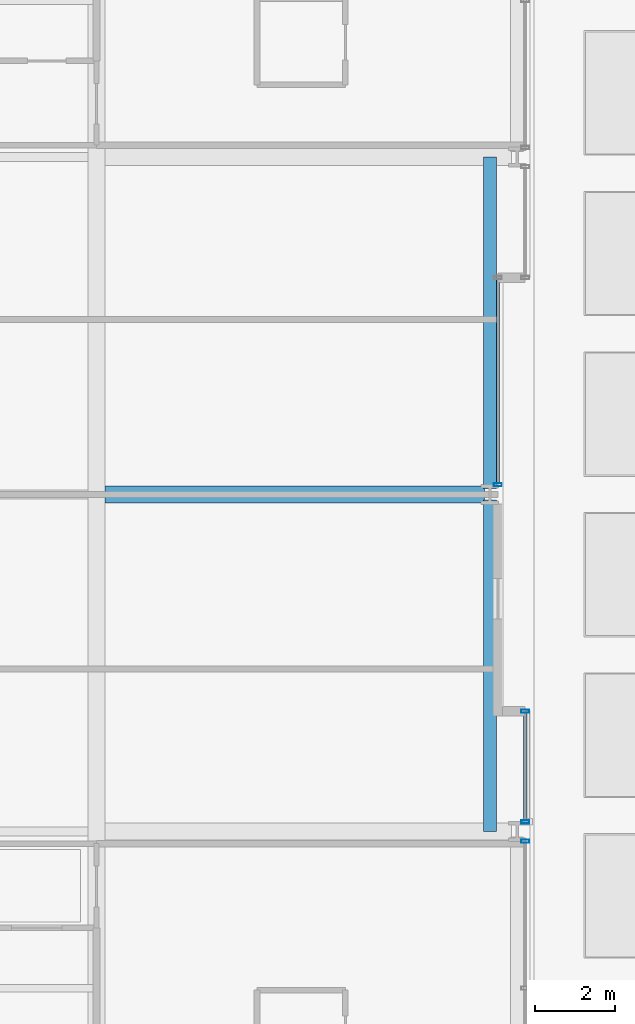
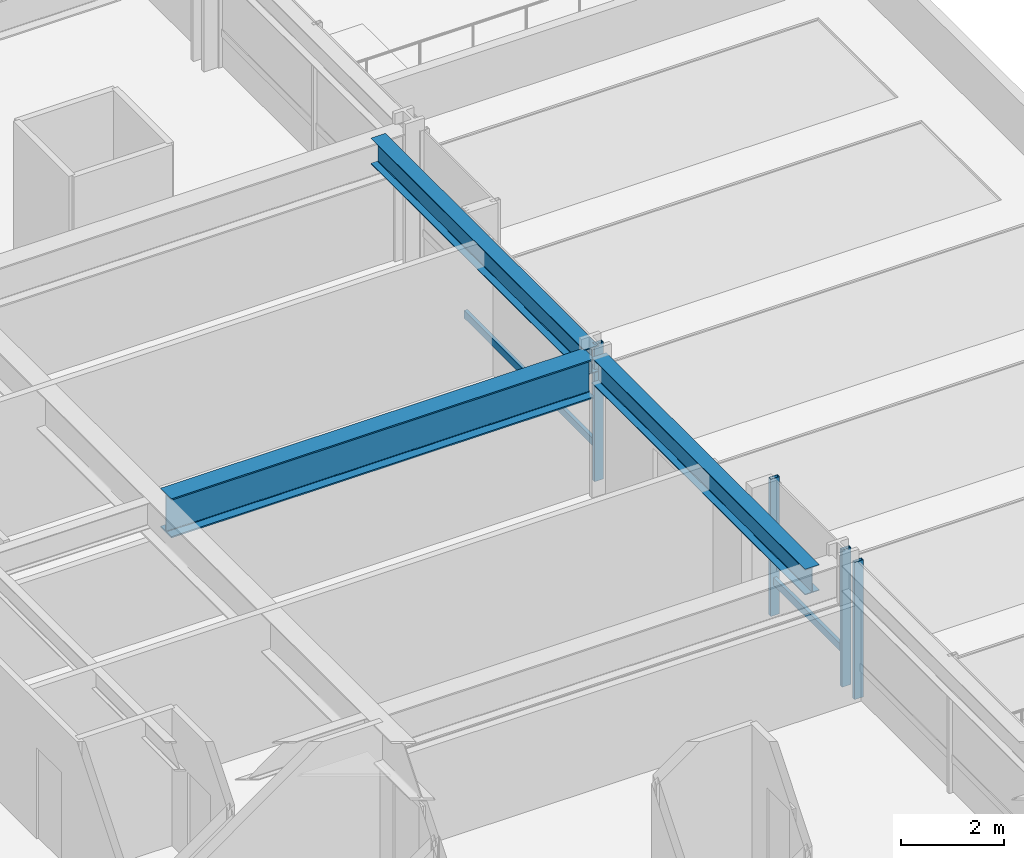
# One storey, part 16 of 42: 6 members, 3 beams, 3 elements without a shape of their own.
"""IFC4 building model written with IfcOpenShell, lengths in metres."""

from ifc_helpers import new_model, si_unit, direction, frame, origin, origin_2d, place, context, subcontext, project, spatial, hollow_rectangle, i_section, extrude, material, layer, layer_set, material_profile, profile_set, type_object, element, aggregate, save


model = new_model("IFC4")

# Units and contexts
model_context = context("Model", 3, precision=1e-05, world=origin(), true_north=direction((0.0, 1.0)))
body_context = subcontext(model_context, "Body", "Model", "MODEL_VIEW")
ifc_project = project(units=[si_unit("LENGTHUNIT", "METRE"), si_unit("AREAUNIT", "SQUARE_METRE"), si_unit("VOLUMEUNIT", "CUBIC_METRE"), si_unit("PLANEANGLEUNIT", "RADIAN"), si_unit("MASSUNIT", "GRAM", prefix="KILO")], contexts=[model_context])

# Site, building, storey
site_placement = place(None, origin())
site = spatial("IfcSite", under=ifc_project, at=site_placement, CompositionType="ELEMENT")
building_placement = place(site_placement, origin())
building = spatial("IfcBuilding", under=site, at=building_placement, Name="Drelvath Grand Hotel", CompositionType="ELEMENT")
storey_placement = place(building_placement, frame((0.0, 0.0, 33.199951171875)))
storey = spatial("IfcBuildingStorey", under=building, at=storey_placement, Name="L06", CompositionType="ELEMENT", Elevation=33.199951171875)

# Curtain wall, member
ifc_material_1 = material(Name="Warm Bronze Anodised Aluminium Frame", Category="aluminium")
ifc_layer = layer(ifc_material_1, 0.199951171875)
ifc_layer_set = layer_set([ifc_layer], Name="Warm Bronze Anodised Aluminium Frame")
curtain_wall_type = type_object("IfcCurtainWallType", Name="Stick Curtain Wall CW-02 Warm Bronze Low-Rise", PredefinedType="NOTDEFINED", material=ifc_layer_set)
curtain_wall_1_placement = place(storey_placement, origin())
curtain_wall_1 = element("IfcCurtainWall", 1, at=curtain_wall_1_placement, inside=storey, type_object=curtain_wall_type, Name="L06 CW-02 Curtain Wall CW02-L06-EM2", PredefinedType="NOTDEFINED")
ifc_material_profile_1 = material_profile(ifc_material_1, hollow_rectangle(XDim=0.074951171875, YDim=0.179931640625, WallThickness=0.0048828125, at=origin_2d()), Name="HSS180X75X5")
ifc_profile_set_1 = profile_set([ifc_material_profile_1], Name="Warm Bronze Anodised Aluminium Frame")
member_type_1 = type_object("IfcMemberType", Name="Curtain Wall Horizontal Transom CW-02 HSS180X75X5", PredefinedType="USERDEFINED", material=ifc_profile_set_1)
member_1_placement = place(storey_placement, frame((26.199951171875, 32.360107421875, 0.81005859375), z_axis=(0.0, -1.0, 0.0), x_axis=(1.0, 0.0, 0.0)))
member_1 = element("IfcMember", 2, at=member_1_placement, type_object=member_type_1, Name="CW02-L06-EM2 Sill Transom", ObjectType="TRANSOM", PredefinedType="USERDEFINED", context=body_context, shape_type="SweptSolid", body=[
    extrude(hollow_rectangle(XDim=0.074951171875, YDim=0.179931640625, WallThickness=0.0048828125, at=origin_2d()), origin(), (0.0, 0.0, 1.0), 5.0791015625),
])

curtain_wall_2_placement = place(storey_placement, origin())
curtain_wall_2 = element("IfcCurtainWall", 3, at=curtain_wall_2_placement, inside=storey, type_object=curtain_wall_type, Name="L06 CW-02 Curtain Wall CW02-L06-ES3", PredefinedType="NOTDEFINED")
member_2_placement = place(storey_placement, frame((26.8798828125, 21.56005859375, 0.81005859375), z_axis=(0.0, -1.0, 0.0), x_axis=(1.0, 0.0, 0.0)))
member_2 = element("IfcMember", 4, at=member_2_placement, type_object=member_type_1, Name="CW02-L06-ES3 Sill Transom", ObjectType="TRANSOM", PredefinedType="USERDEFINED", context=body_context, shape_type="SweptSolid", body=[
    extrude(hollow_rectangle(XDim=0.074951171875, YDim=0.179931640625, WallThickness=0.0048828125, at=origin_2d()), origin(), (0.0, 0.0, 1.0), 2.67919921875),
])

# Member
ifc_material_profile_2 = material_profile(ifc_material_1, hollow_rectangle(XDim=0.080078125, YDim=0.199951171875, WallThickness=0.0048828125, at=origin_2d()), Name="HSS200X80X5")
ifc_profile_set_2 = profile_set([ifc_material_profile_2], Name="Warm Bronze Anodised Aluminium Frame")
member_type_2 = type_object("IfcMemberType", Name="Curtain Wall Vertical Mullion CW-02 HSS200X80X5", PredefinedType="MULLION", material=ifc_profile_set_2)
member_3_placement = place(storey_placement, frame((26.199951171875, 27.240966796875, 0.0), z_axis=(0.0, 0.0, 1.0), x_axis=(0.0, 1.0, 0.0)))
member_3 = element("IfcMember", 5, at=member_3_placement, type_object=member_type_2, Name="CW02-L06-EM2 Mullion 2", PredefinedType="MULLION", context=body_context, shape_type="SweptSolid", body=[
    extrude(hollow_rectangle(XDim=0.080078125, YDim=0.199951171875, WallThickness=0.0048828125, at=origin_2d()), origin(), (0.0, 0.0, 1.0), 3.239990234375),
])

aggregate(curtain_wall_1, [member_3, member_1])

# Curtain wall, member
curtain_wall_3_placement = place(storey_placement, origin())
curtain_wall_3 = element("IfcCurtainWall", 6, at=curtain_wall_3_placement, inside=storey, type_object=curtain_wall_type, Name="L06 CW-02 Curtain Wall CW02-L06-ES2", PredefinedType="NOTDEFINED")
member_4_placement = place(storey_placement, frame((26.8798828125, 18.359130859375, 0.0), z_axis=(0.0, 0.0, 1.0), x_axis=(0.0, 1.0, 0.0)))
member_4 = element("IfcMember", 7, at=member_4_placement, type_object=member_type_2, Name="CW02-L06-ES2 Mullion 1", PredefinedType="MULLION", context=body_context, shape_type="SweptSolid", body=[
    extrude(hollow_rectangle(XDim=0.080078125, YDim=0.199951171875, WallThickness=0.0048828125, at=origin_2d()), origin(), (0.0, 0.0, 1.0), 3.239990234375),
])
aggregate(curtain_wall_3, [member_4])

# Member
member_5_placement = place(storey_placement, frame((26.8798828125, 21.60009765625, 0.0), z_axis=(0.0, 0.0, 1.0), x_axis=(0.0, 1.0, 0.0)))
member_5 = element("IfcMember", 8, at=member_5_placement, type_object=member_type_2, Name="CW02-L06-ES3 Mullion 1", PredefinedType="MULLION", context=body_context, shape_type="SweptSolid", body=[
    extrude(hollow_rectangle(XDim=0.080078125, YDim=0.199951171875, WallThickness=0.0048828125, at=origin_2d()), origin(), (0.0, 0.0, 1.0), 3.239990234375),
])

member_6_placement = place(storey_placement, frame((26.8798828125, 18.8408203125, 0.0), z_axis=(0.0, 0.0, 1.0), x_axis=(0.0, 1.0, 0.0)))
member_6 = element("IfcMember", 9, at=member_6_placement, type_object=member_type_2, Name="CW02-L06-ES3 Mullion 2", PredefinedType="MULLION", context=body_context, shape_type="SweptSolid", body=[
    extrude(hollow_rectangle(XDim=0.080078125, YDim=0.199951171875, WallThickness=0.0048828125, at=origin_2d()), origin(), (0.0, 0.0, 1.0), 3.239990234375),
])

aggregate(curtain_wall_2, [member_5, member_6, member_2])

# Beams
ifc_material_2 = material(Name="Steel ASTM A992 Gr 50", Category="steel")
ifc_material_profile_3 = material_profile(ifc_material_2, i_section(OverallWidth=0.323974609375, OverallDepth=0.611083984375, WebThickness=0.0126953125, FlangeThickness=0.01904296875, FilletRadius=0.02197265625, at=origin_2d()), Name="W24X104")
ifc_profile_set_3 = profile_set([ifc_material_profile_3], Name="Steel ASTM A992 Gr 50")
beam_type_1 = type_object("IfcBeamType", Name="Perimeter Spandrel Beam W24X104", PredefinedType="SPANDREL", material=ifc_profile_set_3)
for number, where, z_axis, x_axis, name in (
    (10, (26.0, 18.60009765625, 2.9345703125), (0.0, 1.0, 0.0), (-1.0, 0.0, 0.0), "L06 Spandrel East Mid S"),
    (11, (26.0, 27.139892578125, 2.9345703125), (0.0, 1.0, 0.0), (-1.0, 0.0, 0.0), "L06 Spandrel East Mid N"),
):
    element("IfcBeam", number, at=place(storey_placement, frame(where, z_axis=z_axis, x_axis=x_axis)), inside=storey, type_object=beam_type_1, Name=name, PredefinedType="SPANDREL", context=body_context, shape_type="SweptSolid", body=[
        extrude(i_section(OverallWidth=0.323974609375, OverallDepth=0.611083984375, WebThickness=0.0126953125, FlangeThickness=0.01904296875, FilletRadius=0.02197265625, at=origin_2d()), origin(), (0.0, 0.0, 1.0), 8.260009765625),
    ])
ifc_material_profile_4 = material_profile(ifc_material_2, i_section(OverallWidth=0.418212890625, OverallDepth=0.926513671875, WebThickness=0.019287109375, FlangeThickness=0.031982421875, FilletRadius=0.028076171875, at=origin_2d()), Name="W36X231")
ifc_profile_set_4 = profile_set([ifc_material_profile_4], Name="Steel ASTM A992 Gr 50")
beam_type_2 = type_object("IfcBeamType", Name="Primary Floor Girder W36X231", PredefinedType="BEAM", material=ifc_profile_set_4)
beam_placement = place(storey_placement, frame((16.4091796875, 27.0, 2.77685546875), z_axis=(1.0, 0.0, 0.0), x_axis=(0.0, 1.0, 0.0)))
element("IfcBeam", 12, at=beam_placement, inside=storey, type_object=beam_type_2, Name="L06 East Wing Girder E", PredefinedType="BEAM", context=body_context, shape_type="SweptSolid", body=[
    extrude(i_section(OverallWidth=0.418212890625, OverallDepth=0.926513671875, WebThickness=0.019287109375, FlangeThickness=0.031982421875, FilletRadius=0.028076171875, at=origin_2d()), origin(), (0.0, 0.0, 1.0), 9.450927734375),
])

save(model, "model.ifc")
